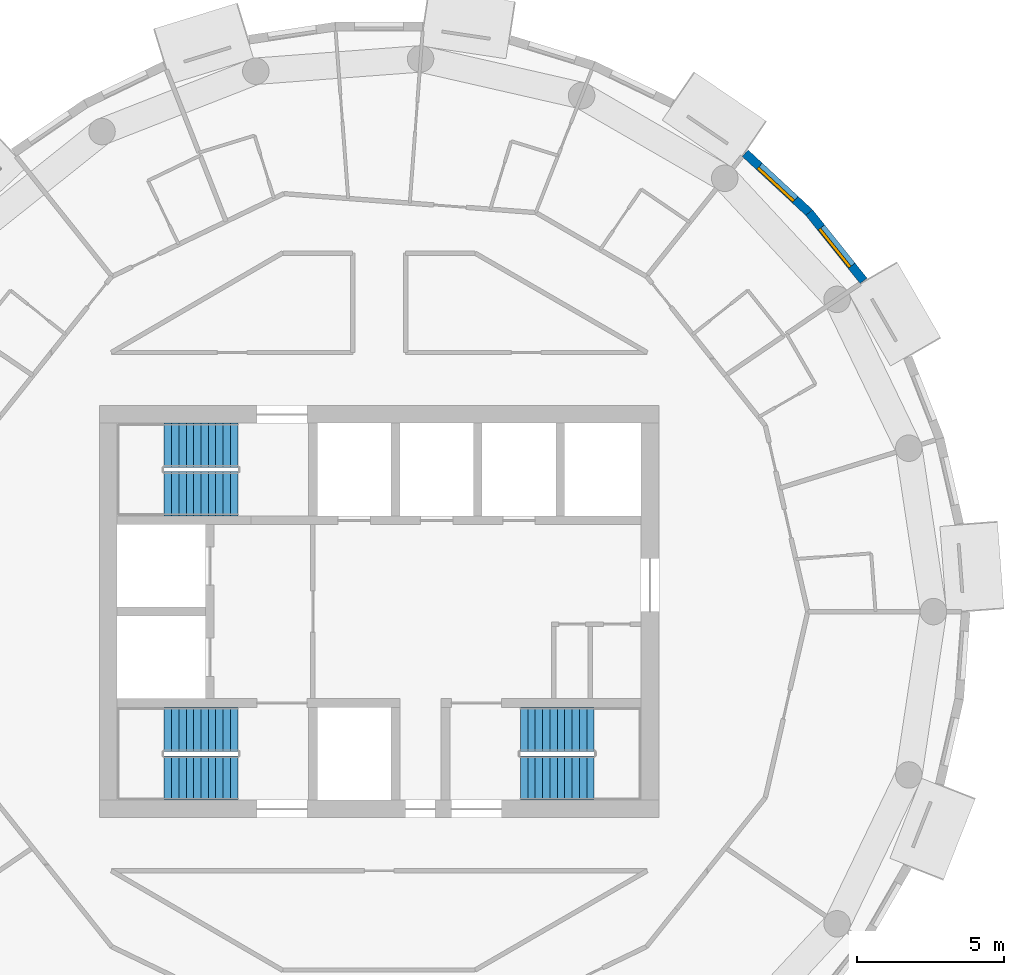
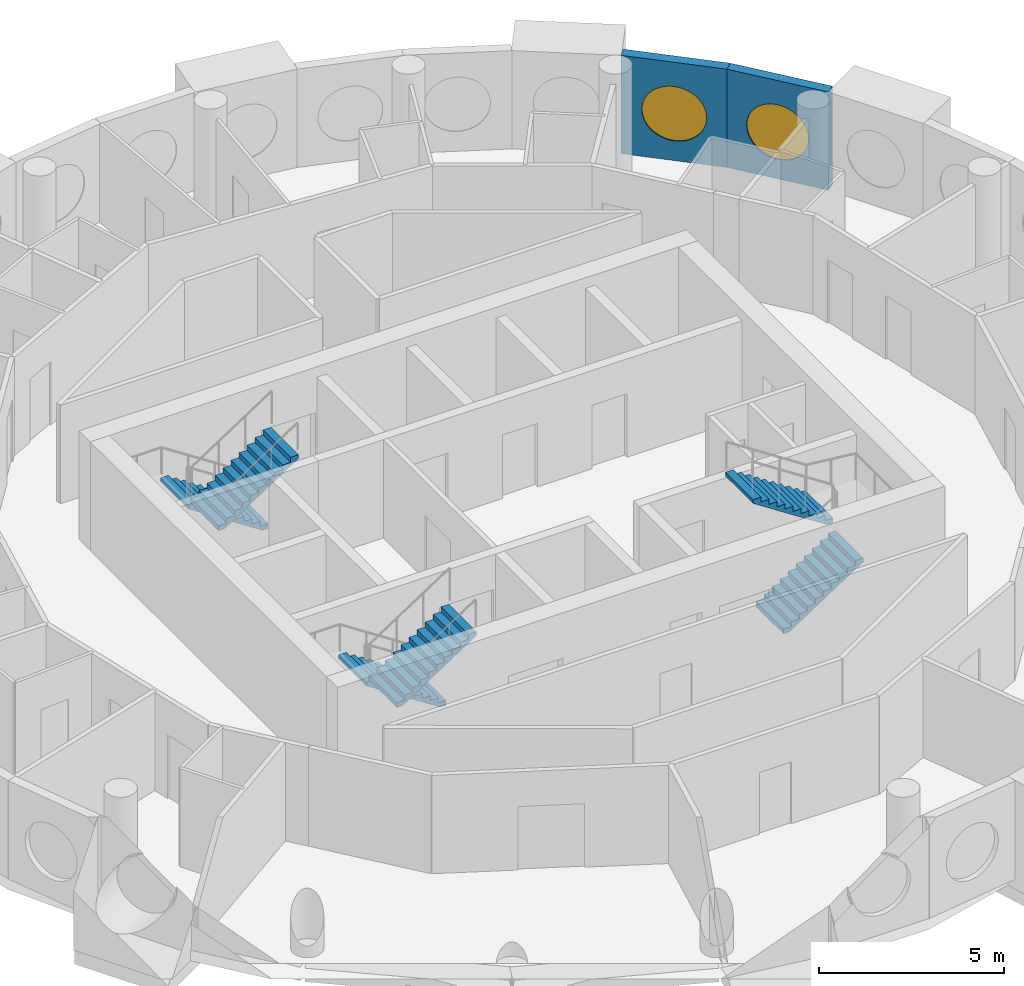
# One storey, part 12 of 13: 6 stair flights, 2 walls, 2 windows, 2 openings, 3 elements without a shape of their own.
"""IFC4 building model written with IfcOpenShell, lengths in metres."""

import ifcopenshell
import ifcopenshell.guid

model = None  # the IFC model being written
_history = None  # IfcOwnerHistory: only IFC2X3 demands one
_inside = {}  # id of a spatial element -> (the spatial element, [elements in it])
_under = {}  # id of a project, library or spatial element -> (it, [spatial elements below it])
_declared = {}  # id of a project -> (the project, [libraries it declares])
_typed = {}  # id of a type object -> (the type object, [elements of that type])
_made_of = {}  # id of a material, layer set ... -> (it, [elements and type objects made of it])


def new_model(schema):
    """Start an empty IFC model of exactly this schema.

    Asked for "IFC4X3", IfcOpenShell would pick the latest addendum, in which some entities
    have other attributes; the version numbers below select the first issue.
    IFC2X3 requires an IfcOwnerHistory on every rooted entity: one is made here for all.
    """
    global model, _history
    if schema == "IFC4X3":
        model = ifcopenshell.file(schema_version=(4, 3, 0, 0))
    else:
        model = ifcopenshell.file(schema=schema)
    _inside.clear()
    _under.clear()
    _declared.clear()
    _typed.clear()
    _made_of.clear()
    _history = None
    if model.schema == "IFC2X3":
        org = make("IfcOrganization", Name="unknown")
        user = make(
            "IfcPersonAndOrganization",
            ThePerson=make("IfcPerson", FamilyName="unknown"),
            TheOrganization=org,
        )
        app = make(
            "IfcApplication",
            ApplicationDeveloper=org,
            Version="unknown",
            ApplicationFullName="unknown",
            ApplicationIdentifier="unknown",
        )
        _history = make(
            "IfcOwnerHistory",
            OwningUser=user,
            OwningApplication=app,
            ChangeAction="ADDED",
            CreationDate=0,
        )
    return model


def make(cls, **values):
    """One entity of the class cls with the attributes given. An attribute that is None is left unset."""
    return model.create_entity(
        cls, **{name: value for name, value in values.items() if value is not None}
    )


def rooted(cls, **values):
    """An entity with a GlobalId (a new one), such as an element, a storey or a relation."""
    return make(cls, GlobalId=ifcopenshell.guid.new(), OwnerHistory=_history, **values)


def si_unit(unit_type, name, prefix=None):
    """IfcSIUnit, for example si_unit("LENGTHUNIT", "METRE", prefix="MILLI")."""
    return make("IfcSIUnit", UnitType=unit_type, Prefix=prefix, Name=name)


def assignment(units):
    """IfcUnitAssignment: the units of a project."""
    return None if units is None else make("IfcUnitAssignment", Units=units)


def point(xyz):
    """IfcCartesianPoint."""
    return None if xyz is None else make("IfcCartesianPoint", Coordinates=xyz)


def direction(xyz):
    """IfcDirection."""
    return None if xyz is None else make("IfcDirection", DirectionRatios=xyz)


def frame(location, z_axis=None, x_axis=None):
    """IfcAxis2Placement3D, a coordinate frame: its origin and axes. An axis left out is left unset."""
    return make(
        "IfcAxis2Placement3D",
        Location=point(location),
        Axis=direction(z_axis),
        RefDirection=direction(x_axis),
    )


def frame_2d(location, x_axis=None):
    """IfcAxis2Placement2D, a coordinate frame in the plane: its origin and x axis."""
    return make(
        "IfcAxis2Placement2D", Location=point(location), RefDirection=direction(x_axis)
    )


def origin():
    """The frame at (0, 0, 0) with its axes left unset."""
    return frame((0.0, 0.0, 0.0))


def origin_2d():
    """The frame at (0, 0) in the plane with its x axis left unset."""
    return frame_2d((0.0, 0.0))


def place(relative_to, where):
    """IfcLocalPlacement: puts the frame where relative to a parent placement (None: the world)."""
    return make(
        "IfcLocalPlacement", PlacementRelTo=relative_to, RelativePlacement=where
    )


def context(
    kind, dimensions, precision=None, world=None, true_north=None, identifier=None
):
    """IfcGeometricRepresentationContext, for example the 3D "Model" context."""
    return make(
        "IfcGeometricRepresentationContext",
        ContextIdentifier=identifier,
        ContextType=kind,
        CoordinateSpaceDimension=dimensions,
        Precision=precision,
        WorldCoordinateSystem=world,
        TrueNorth=true_north,
    )


def subcontext(parent, identifier, kind, view, scale=None):
    """IfcGeometricRepresentationSubContext, for example "Body" below "Model"."""
    return make(
        "IfcGeometricRepresentationSubContext",
        ContextIdentifier=identifier,
        ContextType=kind,
        ParentContext=parent,
        TargetScale=scale,
        TargetView=view,
    )


def project(units=None, contexts=None):
    """IfcProject with its units and contexts."""
    return rooted(
        "IfcProject",
        Name="project",
        RepresentationContexts=contexts,
        UnitsInContext=assignment(units),
    )


def spatial(cls, under=None, at=None, **own):
    """A site, building, storey or space (cls), placed at a placement, below another one or the project."""
    s = rooted(cls, ObjectPlacement=at, **own)
    if under is not None:
        _under.setdefault(under.id(), (under, []))[1].append(s)
    return s


def polyline(points):
    """IfcPolyline through the points."""
    return make("IfcPolyline", Points=[point(p) for p in points])


def profile(cls, at=None, kind="AREA", **sizes):
    """A parametric profile (cls). Its sizes go by their IFC names, for example OverallWidth=200.0."""
    return make(cls, ProfileType=kind, Position=at, **sizes)


def rectangle(**sizes):
    """IfcRectangleProfileDef."""
    return profile("IfcRectangleProfileDef", **sizes)


def circle(**sizes):
    """IfcCircleProfileDef."""
    return profile("IfcCircleProfileDef", **sizes)


def outline(outer, holes=None, kind="AREA"):
    """IfcArbitraryClosedProfileDef: a profile drawn as a closed curve; with holes, ...WithVoids."""
    if holes is None:
        return make("IfcArbitraryClosedProfileDef", ProfileType=kind, OuterCurve=outer)
    return make(
        "IfcArbitraryProfileDefWithVoids",
        ProfileType=kind,
        OuterCurve=outer,
        InnerCurves=holes,
    )


def extrude(swept, where, along, depth):
    """IfcExtrudedAreaSolid: the profile swept, set in the frame where, extruded along a direction by depth."""
    return make(
        "IfcExtrudedAreaSolid",
        SweptArea=swept,
        Position=where,
        ExtrudedDirection=direction(along),
        Depth=depth,
    )


def shape(context_of_items, identifier, shape_type, items):
    """IfcShapeRepresentation: the items that make up one representation, for example the "Body"."""
    return make(
        "IfcShapeRepresentation",
        ContextOfItems=context_of_items,
        RepresentationIdentifier=identifier,
        RepresentationType=shape_type,
        Items=items,
    )


def material(Name=None, Category=None):
    """IfcMaterial."""
    return make("IfcMaterial", Name=Name, Category=Category)


def layer(
    of_material, thickness, ventilated=None, Name=None, Category=None, Priority=None
):
    """IfcMaterialLayer: one layer of a wall or slab, of a material (None: an air gap)."""
    return make(
        "IfcMaterialLayer",
        Material=of_material,
        LayerThickness=thickness,
        IsVentilated=ventilated,
        Name=Name,
        Category=Category,
        Priority=Priority,
    )


def layer_set(layers, Name=None):
    """IfcMaterialLayerSet."""
    return make("IfcMaterialLayerSet", MaterialLayers=layers, LayerSetName=Name)


def made_of(thing, what):
    """Note that an element or type object is made of a material, layer set ...; save() writes the relation."""
    if what is not None:
        _made_of.setdefault(what.id(), (what, []))[1].append(thing)
    return thing


def type_object(cls, material=None, **own):
    """A type object (cls), such as IfcWallType, which elements share."""
    return made_of(rooted(cls, **own), material)


def element(
    cls,
    number,
    at=None,
    inside=None,
    cuts=None,
    type_object=None,
    material=None,
    context=None,
    identifier="Body",
    shape_type=None,
    held_by="IfcProductDefinitionShape",
    body=None,
    shapes=None,
    **own,
):
    """One element of the class cls, such as IfcWall. Its Tag is "e" and its number.

    at: its placement. inside: the storey or other place that contains it. cuts: it is an
    opening in that element (IfcRelVoidsElement). A single representation is given by context,
    identifier, shape_type and body (its items); several are given by shapes. held_by: the class
    of the entity that holds the representations. save() writes the other relations.
    """
    e = rooted(cls, Tag="e%d" % number, ObjectPlacement=at, **own)
    if body is not None:
        shapes = [shape(context, identifier, shape_type, body)]
    if shapes is not None:
        e.Representation = make(held_by, Representations=shapes)
    if inside is not None:
        _inside.setdefault(inside.id(), (inside, []))[1].append(e)
    if cuts is not None:
        rooted(
            "IfcRelVoidsElement", RelatingBuildingElement=cuts, RelatedOpeningElement=e
        )
    if type_object is not None:
        _typed.setdefault(type_object.id(), (type_object, []))[1].append(e)
    return made_of(e, material)


def fill(opening, filler):
    """IfcRelFillsElement: the door or window that sits in an opening."""
    return rooted(
        "IfcRelFillsElement",
        RelatingOpeningElement=opening,
        RelatedBuildingElement=filler,
    )


def aggregate(whole, parts):
    """IfcRelAggregates: a whole, such as a stair, and the parts it consists of."""
    return rooted("IfcRelAggregates", RelatingObject=whole, RelatedObjects=parts)


def save(model, path):
    """Write the relations noted so far, then the file.

    IfcRelAggregates (storeys below a building ...), IfcRelContainedInSpatialStructure (elements
    in a storey), IfcRelDefinesByType, IfcRelAssociatesMaterial and IfcRelDeclares: one each for
    every whole, place, type object, material and project.
    """
    for whole, parts in _under.values():
        aggregate(whole, parts)
    for where, things in _inside.values():
        rooted(
            "IfcRelContainedInSpatialStructure",
            RelatedElements=things,
            RelatingStructure=where,
        )
    for kind, things in _typed.values():
        rooted("IfcRelDefinesByType", RelatedObjects=things, RelatingType=kind)
    for what, things in _made_of.values():
        rooted("IfcRelAssociatesMaterial", RelatedObjects=things, RelatingMaterial=what)
    for by, libraries in _declared.values():
        rooted("IfcRelDeclares", RelatingContext=by, RelatedDefinitions=libraries)
    model.write(path)


model = new_model("IFC4")

# Units and contexts
model_context = context("Model", 3, precision=1e-05, world=origin(), true_north=direction((0.0, 1.0)))
body_context = subcontext(model_context, "Body", "Model", "MODEL_VIEW")
ifc_project = project(units=[si_unit("LENGTHUNIT", "METRE"), si_unit("AREAUNIT", "SQUARE_METRE"), si_unit("VOLUMEUNIT", "CUBIC_METRE"), si_unit("PLANEANGLEUNIT", "RADIAN"), si_unit("MASSUNIT", "GRAM", prefix="KILO")], contexts=[model_context])

# Site, building, storey
site_placement = place(None, origin())
site = spatial("IfcSite", under=ifc_project, at=site_placement, CompositionType="ELEMENT")
building_placement = place(site_placement, origin())
building = spatial("IfcBuilding", under=site, at=building_placement, Name="Tracery Tower", CompositionType="ELEMENT")
storey_placement = place(building_placement, frame((0.0, 0.0, 309.0)))
storey = spatial("IfcBuildingStorey", under=building, at=storey_placement, Name="L80", CompositionType="ELEMENT", Elevation=309.0)

# Wall, opening, window
ifc_material_1 = material(Name="Precast concrete C50/60", Category="concrete")
ifc_layer = layer(ifc_material_1, 0.300048828125)
ifc_layer_set = layer_set([ifc_layer], Name="Facade panel 3000 x 3250")
wall_type = type_object("IfcWallType", Name="Facade panel 3000 x 3250", PredefinedType="SOLIDWALL", material=ifc_layer_set)
wall_1_placement = place(storey_placement, frame((16.45068359375, 11.234375, 0.0), z_axis=(0.0, 0.0, 1.0), x_axis=(-0.623498236992, 0.781824755599, 0.0)))
wall_1 = element("IfcWall", 1, at=wall_1_placement, inside=storey, type_object=wall_type, Name="Facade panel 5 at L80", PredefinedType="SOLIDWALL", context=body_context, shape_type="SweptSolid", body=[
    extrude(rectangle(XDim=2.962158203125, YDim=0.300048828125, at=frame_2d((1.48095703125, 0.0))), origin(), (0.0, 0.0, 1.0), 3.25),
])
opening_1_placement = place(wall_1_placement, frame((1.48095703125, 0.0, 1.5498046875)))
opening_1 = element("IfcOpeningElement", 2, at=opening_1_placement, cuts=wall_1, Name="Opening WN1", PredefinedType="OPENING", context=body_context, shape_type="SweptSolid", body=[
    extrude(circle(Radius=0.9000244140625, at=origin_2d()), frame((0.0, 0.159912109375, 0.0), z_axis=(0.0, -1.0, 0.0), x_axis=(1.0, 0.0, 0.0)), (0.0, 0.0, 1.0), 0.320068359375),
])
ifc_material_2 = material(Name="Aluminium frame with tinted double glazing", Category="aluminium")
window_type = type_object("IfcWindowType", Name="Round window 1800", PartitioningType="SINGLE_PANEL", PredefinedType="WINDOW", material=ifc_material_2)
window_1_placement = place(opening_1_placement, origin())
window_1 = element("IfcWindow", 3, at=window_1_placement, inside=storey, type_object=window_type, Name="Round window 5 at L80", OverallHeight=1.800048828125, OverallWidth=1.800048828125, PartitioningType="SINGLE_PANEL", PredefinedType="WINDOW", context=body_context, shape_type="SweptSolid", body=[
    extrude(circle(Radius=0.9000244140625, at=origin_2d()), frame((0.0, 0.1201171875, 0.0), z_axis=(0.0, -1.0, 0.0), x_axis=(1.0, 0.0, 0.0)), (0.0, 0.0, 1.0), 0.10009765625),
])
fill(opening_1, window_1)

wall_2_placement = place(storey_placement, frame((14.603759765625, 13.55029296875, 0.0), z_axis=(0.0, 0.0, 1.0), x_axis=(-0.733066412643, 0.680157066165, 0.0)))
wall_2 = element("IfcWall", 4, at=wall_2_placement, inside=storey, type_object=wall_type, Name="Facade panel 6 at L80", PredefinedType="SOLIDWALL", context=body_context, shape_type="SweptSolid", body=[
    extrude(rectangle(XDim=2.96240234375, YDim=0.300048828125, at=frame_2d((1.481201171875, 0.0))), origin(), (0.0, 0.0, 1.0), 3.25),
])
opening_2_placement = place(wall_2_placement, frame((1.48095703125, 0.0, 1.5498046875)))
opening_2 = element("IfcOpeningElement", 5, at=opening_2_placement, cuts=wall_2, Name="Opening WN1", PredefinedType="OPENING", context=body_context, shape_type="SweptSolid", body=[
    extrude(circle(Radius=0.9000244140625, at=origin_2d()), frame((0.0, 0.159912109375, 0.0), z_axis=(0.0, -1.0, 0.0), x_axis=(1.0, 0.0, 0.0)), (0.0, 0.0, 1.0), 0.320068359375),
])
window_2_placement = place(opening_2_placement, origin())
window_2 = element("IfcWindow", 6, at=window_2_placement, inside=storey, type_object=window_type, Name="Round window 6 at L80", OverallHeight=1.800048828125, OverallWidth=1.800048828125, PartitioningType="SINGLE_PANEL", PredefinedType="WINDOW", context=body_context, shape_type="SweptSolid", body=[
    extrude(circle(Radius=0.9000244140625, at=origin_2d()), frame((0.0, 0.1201171875, 0.0), z_axis=(0.0, -1.0, 0.0), x_axis=(1.0, 0.0, 0.0)), (0.0, 0.0, 1.0), 0.10009765625),
])
fill(opening_2, window_2)

# Stair, stair flights
ifc_material_3 = material(Name="Concrete C32/40", Category="concrete")
stair_type = type_object("IfcStairType", Name="Core stair 22 risers", PredefinedType="HALF_TURN_STAIR", material=ifc_material_3)
stair_1_placement = place(storey_placement, origin())
stair_1 = element("IfcStair", 7, at=stair_1_placement, inside=storey, type_object=stair_type, Name="L80 stair ST1", PredefinedType="HALF_TURN_STAIR")
ifc_material_4 = material(Name="Concrete C32/40", Category="concrete")
stair_flight_type = type_object("IfcStairFlightType", Name="Core stair flight 11 risers", PredefinedType="STRAIGHT", material=ifc_material_4)
stair_flight_1_placement = place(storey_placement, frame((-4.800048828125, -4.0, 0.0), z_axis=(0.0, 0.0, 1.0), x_axis=(-1.0, 0.0, 0.0)))
stair_flight_1 = element("IfcStairFlight", 8, at=stair_flight_1_placement, type_object=stair_flight_type, Name="ST1 flight 1", NumberOfRisers=11, NumberOfTreads=10, PredefinedType="STRAIGHT", RiserHeight=0.163636364, TreadLength=0.25, context=body_context, shape_type="SweptSolid", body=[
    extrude(outline(polyline([(0.0, 0.0), (0.0, 0.002685546875), (0.0, 0.00537109375), (0.0, 0.008056640625), (0.0, 0.0107421875), (0.0, 0.013427734375), (0.0, 0.01611328125), (0.0, 0.018798828125), (0.0, 0.021484375), (0.0, 0.024169921875), (0.0, 0.02685546875), (0.0, 0.029541015625), (0.0, 0.0322265625), (0.0, 0.034912109375), (0.0, 0.03759765625), (0.0, 0.040283203125), (0.0, 0.04296875), (0.0, 0.045654296875), (0.0, 0.04833984375), (0.0, 0.051025390625), (0.0, 0.0537109375), (0.0, 0.056396484375), (0.0, 0.05908203125), (0.0, 0.061767578125), (0.0, 0.064453125), (0.0, 0.067138671875), (0.0, 0.06982421875), (0.0, 0.072509765625), (0.0, 0.0751953125), (0.0, 0.077880859375), (0.0, 0.08056640625), (0.0, 0.083251953125), (0.0, 0.0859375), (0.0, 0.088623046875), (0.0, 0.09130859375), (0.0, 0.093994140625), (0.0, 0.0966796875), (0.0, 0.099365234375), (0.0, 0.10205078125), (0.0, 0.104736328125), (0.0, 0.107421875), (0.0, 0.10986328125), (0.0, 0.112548828125), (0.0, 0.115234375), (0.0, 0.117919921875), (0.0, 0.12060546875), (0.0, 0.123291015625), (0.0, 0.1259765625), (0.0, 0.128662109375), (0.0, 0.13134765625), (0.0, 0.134033203125), (0.0, 0.13671875), (0.0, 0.139404296875), (0.0, 0.14208984375), (0.0, 0.144775390625), (0.0, 0.1474609375), (0.0, 0.150146484375), (0.0, 0.15283203125), (0.0, 0.155517578125), (0.0, 0.158203125), (0.0, 0.160888671875), (0.0, 0.16357421875), (0.25, 0.16357421875), (0.25, 0.327392578125), (0.5, 0.327392578125), (0.5, 0.490966796875), (0.75, 0.490966796875), (0.75, 0.654541015625), (1.0, 0.654541015625), (1.0, 0.818115234375), (1.25, 0.818115234375), (1.25, 0.98193359375), (1.5, 0.98193359375), (1.5, 1.1455078125), (1.75, 1.1455078125), (1.75, 1.30908203125), (2.0, 1.30908203125), (2.0, 1.47265625), (2.25, 1.47265625), (2.25, 1.636474609375), (2.5, 1.636474609375), (2.5, 1.634521484375), (2.5, 1.63232421875), (2.5, 1.63037109375), (2.5, 1.62841796875), (2.5, 1.62646484375), (2.5, 1.62451171875), (2.5, 1.62255859375), (2.5, 1.62060546875), (2.5, 1.61865234375), (2.5, 1.61669921875), (2.5, 1.61474609375), (2.5, 1.61279296875), (2.5, 1.61083984375), (2.5, 1.60888671875), (2.5, 1.60693359375), (2.5, 1.60498046875), (2.5, 1.60302734375), (2.5, 1.60107421875), (2.5, 1.59912109375), (2.5, 1.59716796875), (2.5, 1.59521484375), (2.5, 1.59326171875), (2.5, 1.59130859375), (2.5, 1.58935546875), (2.5, 1.58740234375), (2.5, 1.58544921875), (2.5, 1.58349609375), (2.5, 1.58154296875), (2.5, 1.57958984375), (2.5, 1.57763671875), (2.5, 1.57568359375), (2.5, 1.573486328125), (2.5, 1.571533203125), (2.5, 1.569580078125), (2.5, 1.567626953125), (2.5, 1.565673828125), (2.5, 1.563720703125), (2.5, 1.561767578125), (2.5, 1.559814453125), (2.5, 1.557861328125), (2.5, 1.555908203125), (2.5, 1.553955078125), (2.5, 1.552001953125), (2.5, 1.550048828125), (2.5, 1.548095703125), (2.5, 1.546142578125), (2.5, 1.544189453125), (2.5, 1.542236328125), (2.5, 1.540283203125), (2.5, 1.538330078125), (2.5, 1.536376953125), (2.5, 1.534423828125), (2.5, 1.532470703125), (2.5, 1.530517578125), (2.5, 1.528564453125), (2.5, 1.526611328125), (2.5, 1.524658203125), (2.5, 1.522705078125), (2.5, 1.520751953125), (2.5, 1.518798828125), (2.5, 1.516845703125), (0.182861328125, 0.0), (0.0, 0.0)])), frame((0.0, 0.75, 0.0), z_axis=(0.0, -1.0, 0.0), x_axis=(1.0, 0.0, 0.0)), (0.0, 0.0, 1.0), 1.5),
])
stair_flight_2_placement = place(storey_placement, frame((-7.300048828125, -5.64990234375, 1.800048828125), z_axis=(0.0, 0.0, 1.0), x_axis=(1.0, 0.0, 0.0)))
stair_flight_2 = element("IfcStairFlight", 9, at=stair_flight_2_placement, type_object=stair_flight_type, Name="ST1 flight 2", NumberOfRisers=11, NumberOfTreads=10, PredefinedType="STRAIGHT", RiserHeight=0.163636364, TreadLength=0.25, context=body_context, shape_type="SweptSolid", body=[
    extrude(outline(polyline([(0.0, 0.0), (0.0, 0.002685546875), (0.0, 0.00537109375), (0.0, 0.008056640625), (0.0, 0.0107421875), (0.0, 0.013427734375), (0.0, 0.01611328125), (0.0, 0.018798828125), (0.0, 0.021484375), (0.0, 0.024169921875), (0.0, 0.02685546875), (0.0, 0.029541015625), (0.0, 0.0322265625), (0.0, 0.034912109375), (0.0, 0.03759765625), (0.0, 0.040283203125), (0.0, 0.04296875), (0.0, 0.045654296875), (0.0, 0.04833984375), (0.0, 0.051025390625), (0.0, 0.0537109375), (0.0, 0.056396484375), (0.0, 0.05908203125), (0.0, 0.061767578125), (0.0, 0.064453125), (0.0, 0.067138671875), (0.0, 0.06982421875), (0.0, 0.072509765625), (0.0, 0.0751953125), (0.0, 0.077880859375), (0.0, 0.08056640625), (0.0, 0.083251953125), (0.0, 0.0859375), (0.0, 0.088623046875), (0.0, 0.09130859375), (0.0, 0.093994140625), (0.0, 0.0966796875), (0.0, 0.099365234375), (0.0, 0.10205078125), (0.0, 0.104736328125), (0.0, 0.107421875), (0.0, 0.10986328125), (0.0, 0.112548828125), (0.0, 0.115234375), (0.0, 0.117919921875), (0.0, 0.12060546875), (0.0, 0.123291015625), (0.0, 0.1259765625), (0.0, 0.128662109375), (0.0, 0.13134765625), (0.0, 0.134033203125), (0.0, 0.13671875), (0.0, 0.139404296875), (0.0, 0.14208984375), (0.0, 0.144775390625), (0.0, 0.1474609375), (0.0, 0.150146484375), (0.0, 0.15283203125), (0.0, 0.155517578125), (0.0, 0.158203125), (0.0, 0.160888671875), (0.0, 0.16357421875), (0.25, 0.16357421875), (0.25, 0.327392578125), (0.5, 0.327392578125), (0.5, 0.490966796875), (0.75, 0.490966796875), (0.75, 0.654541015625), (1.0, 0.654541015625), (1.0, 0.818115234375), (1.25, 0.818115234375), (1.25, 0.98193359375), (1.5, 0.98193359375), (1.5, 1.1455078125), (1.75, 1.1455078125), (1.75, 1.30908203125), (2.0, 1.30908203125), (2.0, 1.47265625), (2.25, 1.47265625), (2.25, 1.636474609375), (2.5, 1.636474609375), (2.5, 1.634521484375), (2.5, 1.63232421875), (2.5, 1.63037109375), (2.5, 1.62841796875), (2.5, 1.62646484375), (2.5, 1.62451171875), (2.5, 1.62255859375), (2.5, 1.62060546875), (2.5, 1.61865234375), (2.5, 1.61669921875), (2.5, 1.61474609375), (2.5, 1.61279296875), (2.5, 1.61083984375), (2.5, 1.60888671875), (2.5, 1.60693359375), (2.5, 1.60498046875), (2.5, 1.60302734375), (2.5, 1.60107421875), (2.5, 1.59912109375), (2.5, 1.59716796875), (2.5, 1.59521484375), (2.5, 1.59326171875), (2.5, 1.59130859375), (2.5, 1.58935546875), (2.5, 1.58740234375), (2.5, 1.58544921875), (2.5, 1.58349609375), (2.5, 1.58154296875), (2.5, 1.57958984375), (2.5, 1.57763671875), (2.5, 1.57568359375), (2.5, 1.573486328125), (2.5, 1.571533203125), (2.5, 1.569580078125), (2.5, 1.567626953125), (2.5, 1.565673828125), (2.5, 1.563720703125), (2.5, 1.561767578125), (2.5, 1.559814453125), (2.5, 1.557861328125), (2.5, 1.555908203125), (2.5, 1.553955078125), (2.5, 1.552001953125), (2.5, 1.550048828125), (2.5, 1.548095703125), (2.5, 1.546142578125), (2.5, 1.544189453125), (2.5, 1.542236328125), (2.5, 1.540283203125), (2.5, 1.538330078125), (2.5, 1.536376953125), (2.5, 1.534423828125), (2.5, 1.532470703125), (2.5, 1.530517578125), (2.5, 1.528564453125), (2.5, 1.526611328125), (2.5, 1.524658203125), (2.5, 1.522705078125), (2.5, 1.520751953125), (2.5, 1.518798828125), (2.5, 1.516845703125), (0.182861328125, 0.0), (0.0, 0.0)])), frame((0.0, 0.75, 0.0), z_axis=(0.0, -1.0, 0.0), x_axis=(1.0, 0.0, 0.0)), (0.0, 0.0, 1.0), 1.5),
])
aggregate(stair_1, [stair_flight_1, stair_flight_2])

stair_2_placement = place(storey_placement, origin())
stair_2 = element("IfcStair", 10, at=stair_2_placement, inside=storey, type_object=stair_type, Name="L80 stair ST3", PredefinedType="HALF_TURN_STAIR")
stair_flight_3_placement = place(storey_placement, frame((-4.800048828125, 5.64990234375, 0.0), z_axis=(0.0, 0.0, 1.0), x_axis=(-1.0, 0.0, 0.0)))
stair_flight_3 = element("IfcStairFlight", 11, at=stair_flight_3_placement, type_object=stair_flight_type, Name="ST3 flight 1", NumberOfRisers=11, NumberOfTreads=10, PredefinedType="STRAIGHT", RiserHeight=0.163636364, TreadLength=0.25, context=body_context, shape_type="SweptSolid", body=[
    extrude(outline(polyline([(0.0, 0.0), (0.0, 0.002685546875), (0.0, 0.00537109375), (0.0, 0.008056640625), (0.0, 0.0107421875), (0.0, 0.013427734375), (0.0, 0.01611328125), (0.0, 0.018798828125), (0.0, 0.021484375), (0.0, 0.024169921875), (0.0, 0.02685546875), (0.0, 0.029541015625), (0.0, 0.0322265625), (0.0, 0.034912109375), (0.0, 0.03759765625), (0.0, 0.040283203125), (0.0, 0.04296875), (0.0, 0.045654296875), (0.0, 0.04833984375), (0.0, 0.051025390625), (0.0, 0.0537109375), (0.0, 0.056396484375), (0.0, 0.05908203125), (0.0, 0.061767578125), (0.0, 0.064453125), (0.0, 0.067138671875), (0.0, 0.06982421875), (0.0, 0.072509765625), (0.0, 0.0751953125), (0.0, 0.077880859375), (0.0, 0.08056640625), (0.0, 0.083251953125), (0.0, 0.0859375), (0.0, 0.088623046875), (0.0, 0.09130859375), (0.0, 0.093994140625), (0.0, 0.0966796875), (0.0, 0.099365234375), (0.0, 0.10205078125), (0.0, 0.104736328125), (0.0, 0.107421875), (0.0, 0.10986328125), (0.0, 0.112548828125), (0.0, 0.115234375), (0.0, 0.117919921875), (0.0, 0.12060546875), (0.0, 0.123291015625), (0.0, 0.1259765625), (0.0, 0.128662109375), (0.0, 0.13134765625), (0.0, 0.134033203125), (0.0, 0.13671875), (0.0, 0.139404296875), (0.0, 0.14208984375), (0.0, 0.144775390625), (0.0, 0.1474609375), (0.0, 0.150146484375), (0.0, 0.15283203125), (0.0, 0.155517578125), (0.0, 0.158203125), (0.0, 0.160888671875), (0.0, 0.16357421875), (0.25, 0.16357421875), (0.25, 0.327392578125), (0.5, 0.327392578125), (0.5, 0.490966796875), (0.75, 0.490966796875), (0.75, 0.654541015625), (1.0, 0.654541015625), (1.0, 0.818115234375), (1.25, 0.818115234375), (1.25, 0.98193359375), (1.5, 0.98193359375), (1.5, 1.1455078125), (1.75, 1.1455078125), (1.75, 1.30908203125), (2.0, 1.30908203125), (2.0, 1.47265625), (2.25, 1.47265625), (2.25, 1.636474609375), (2.5, 1.636474609375), (2.5, 1.634521484375), (2.5, 1.63232421875), (2.5, 1.63037109375), (2.5, 1.62841796875), (2.5, 1.62646484375), (2.5, 1.62451171875), (2.5, 1.62255859375), (2.5, 1.62060546875), (2.5, 1.61865234375), (2.5, 1.61669921875), (2.5, 1.61474609375), (2.5, 1.61279296875), (2.5, 1.61083984375), (2.5, 1.60888671875), (2.5, 1.60693359375), (2.5, 1.60498046875), (2.5, 1.60302734375), (2.5, 1.60107421875), (2.5, 1.59912109375), (2.5, 1.59716796875), (2.5, 1.59521484375), (2.5, 1.59326171875), (2.5, 1.59130859375), (2.5, 1.58935546875), (2.5, 1.58740234375), (2.5, 1.58544921875), (2.5, 1.58349609375), (2.5, 1.58154296875), (2.5, 1.57958984375), (2.5, 1.57763671875), (2.5, 1.57568359375), (2.5, 1.573486328125), (2.5, 1.571533203125), (2.5, 1.569580078125), (2.5, 1.567626953125), (2.5, 1.565673828125), (2.5, 1.563720703125), (2.5, 1.561767578125), (2.5, 1.559814453125), (2.5, 1.557861328125), (2.5, 1.555908203125), (2.5, 1.553955078125), (2.5, 1.552001953125), (2.5, 1.550048828125), (2.5, 1.548095703125), (2.5, 1.546142578125), (2.5, 1.544189453125), (2.5, 1.542236328125), (2.5, 1.540283203125), (2.5, 1.538330078125), (2.5, 1.536376953125), (2.5, 1.534423828125), (2.5, 1.532470703125), (2.5, 1.530517578125), (2.5, 1.528564453125), (2.5, 1.526611328125), (2.5, 1.524658203125), (2.5, 1.522705078125), (2.5, 1.520751953125), (2.5, 1.518798828125), (2.5, 1.516845703125), (0.182861328125, 0.0), (0.0, 0.0)])), frame((0.0, 0.75, 0.0), z_axis=(0.0, -1.0, 0.0), x_axis=(1.0, 0.0, 0.0)), (0.0, 0.0, 1.0), 1.5),
])
stair_flight_4_placement = place(storey_placement, frame((-7.300048828125, 4.0, 1.800048828125), z_axis=(0.0, 0.0, 1.0), x_axis=(1.0, 0.0, 0.0)))
stair_flight_4 = element("IfcStairFlight", 12, at=stair_flight_4_placement, type_object=stair_flight_type, Name="ST3 flight 2", NumberOfRisers=11, NumberOfTreads=10, PredefinedType="STRAIGHT", RiserHeight=0.163636364, TreadLength=0.25, context=body_context, shape_type="SweptSolid", body=[
    extrude(outline(polyline([(0.0, 0.0), (0.0, 0.002685546875), (0.0, 0.00537109375), (0.0, 0.008056640625), (0.0, 0.0107421875), (0.0, 0.013427734375), (0.0, 0.01611328125), (0.0, 0.018798828125), (0.0, 0.021484375), (0.0, 0.024169921875), (0.0, 0.02685546875), (0.0, 0.029541015625), (0.0, 0.0322265625), (0.0, 0.034912109375), (0.0, 0.03759765625), (0.0, 0.040283203125), (0.0, 0.04296875), (0.0, 0.045654296875), (0.0, 0.04833984375), (0.0, 0.051025390625), (0.0, 0.0537109375), (0.0, 0.056396484375), (0.0, 0.05908203125), (0.0, 0.061767578125), (0.0, 0.064453125), (0.0, 0.067138671875), (0.0, 0.06982421875), (0.0, 0.072509765625), (0.0, 0.0751953125), (0.0, 0.077880859375), (0.0, 0.08056640625), (0.0, 0.083251953125), (0.0, 0.0859375), (0.0, 0.088623046875), (0.0, 0.09130859375), (0.0, 0.093994140625), (0.0, 0.0966796875), (0.0, 0.099365234375), (0.0, 0.10205078125), (0.0, 0.104736328125), (0.0, 0.107421875), (0.0, 0.10986328125), (0.0, 0.112548828125), (0.0, 0.115234375), (0.0, 0.117919921875), (0.0, 0.12060546875), (0.0, 0.123291015625), (0.0, 0.1259765625), (0.0, 0.128662109375), (0.0, 0.13134765625), (0.0, 0.134033203125), (0.0, 0.13671875), (0.0, 0.139404296875), (0.0, 0.14208984375), (0.0, 0.144775390625), (0.0, 0.1474609375), (0.0, 0.150146484375), (0.0, 0.15283203125), (0.0, 0.155517578125), (0.0, 0.158203125), (0.0, 0.160888671875), (0.0, 0.16357421875), (0.25, 0.16357421875), (0.25, 0.327392578125), (0.5, 0.327392578125), (0.5, 0.490966796875), (0.75, 0.490966796875), (0.75, 0.654541015625), (1.0, 0.654541015625), (1.0, 0.818115234375), (1.25, 0.818115234375), (1.25, 0.98193359375), (1.5, 0.98193359375), (1.5, 1.1455078125), (1.75, 1.1455078125), (1.75, 1.30908203125), (2.0, 1.30908203125), (2.0, 1.47265625), (2.25, 1.47265625), (2.25, 1.636474609375), (2.5, 1.636474609375), (2.5, 1.634521484375), (2.5, 1.63232421875), (2.5, 1.63037109375), (2.5, 1.62841796875), (2.5, 1.62646484375), (2.5, 1.62451171875), (2.5, 1.62255859375), (2.5, 1.62060546875), (2.5, 1.61865234375), (2.5, 1.61669921875), (2.5, 1.61474609375), (2.5, 1.61279296875), (2.5, 1.61083984375), (2.5, 1.60888671875), (2.5, 1.60693359375), (2.5, 1.60498046875), (2.5, 1.60302734375), (2.5, 1.60107421875), (2.5, 1.59912109375), (2.5, 1.59716796875), (2.5, 1.59521484375), (2.5, 1.59326171875), (2.5, 1.59130859375), (2.5, 1.58935546875), (2.5, 1.58740234375), (2.5, 1.58544921875), (2.5, 1.58349609375), (2.5, 1.58154296875), (2.5, 1.57958984375), (2.5, 1.57763671875), (2.5, 1.57568359375), (2.5, 1.573486328125), (2.5, 1.571533203125), (2.5, 1.569580078125), (2.5, 1.567626953125), (2.5, 1.565673828125), (2.5, 1.563720703125), (2.5, 1.561767578125), (2.5, 1.559814453125), (2.5, 1.557861328125), (2.5, 1.555908203125), (2.5, 1.553955078125), (2.5, 1.552001953125), (2.5, 1.550048828125), (2.5, 1.548095703125), (2.5, 1.546142578125), (2.5, 1.544189453125), (2.5, 1.542236328125), (2.5, 1.540283203125), (2.5, 1.538330078125), (2.5, 1.536376953125), (2.5, 1.534423828125), (2.5, 1.532470703125), (2.5, 1.530517578125), (2.5, 1.528564453125), (2.5, 1.526611328125), (2.5, 1.524658203125), (2.5, 1.522705078125), (2.5, 1.520751953125), (2.5, 1.518798828125), (2.5, 1.516845703125), (0.182861328125, 0.0), (0.0, 0.0)])), frame((0.0, 0.75, 0.0), z_axis=(0.0, -1.0, 0.0), x_axis=(1.0, 0.0, 0.0)), (0.0, 0.0, 1.0), 1.5),
])
aggregate(stair_2, [stair_flight_3, stair_flight_4])

stair_3_placement = place(storey_placement, origin())
stair_3 = element("IfcStair", 13, at=stair_3_placement, inside=storey, type_object=stair_type, Name="L80 stair ST2", PredefinedType="HALF_TURN_STAIR")
stair_flight_5_placement = place(storey_placement, frame((4.800048828125, -5.64990234375, 0.0), z_axis=(0.0, 0.0, 1.0), x_axis=(1.0, 0.0, 0.0)))
stair_flight_5 = element("IfcStairFlight", 14, at=stair_flight_5_placement, type_object=stair_flight_type, Name="ST2 flight 1", NumberOfRisers=11, NumberOfTreads=10, PredefinedType="STRAIGHT", RiserHeight=0.163636364, TreadLength=0.25, context=body_context, shape_type="SweptSolid", body=[
    extrude(outline(polyline([(0.0, 0.0), (0.0, 0.002685546875), (0.0, 0.00537109375), (0.0, 0.008056640625), (0.0, 0.0107421875), (0.0, 0.013427734375), (0.0, 0.01611328125), (0.0, 0.018798828125), (0.0, 0.021484375), (0.0, 0.024169921875), (0.0, 0.02685546875), (0.0, 0.029541015625), (0.0, 0.0322265625), (0.0, 0.034912109375), (0.0, 0.03759765625), (0.0, 0.040283203125), (0.0, 0.04296875), (0.0, 0.045654296875), (0.0, 0.04833984375), (0.0, 0.051025390625), (0.0, 0.0537109375), (0.0, 0.056396484375), (0.0, 0.05908203125), (0.0, 0.061767578125), (0.0, 0.064453125), (0.0, 0.067138671875), (0.0, 0.06982421875), (0.0, 0.072509765625), (0.0, 0.0751953125), (0.0, 0.077880859375), (0.0, 0.08056640625), (0.0, 0.083251953125), (0.0, 0.0859375), (0.0, 0.088623046875), (0.0, 0.09130859375), (0.0, 0.093994140625), (0.0, 0.0966796875), (0.0, 0.099365234375), (0.0, 0.10205078125), (0.0, 0.104736328125), (0.0, 0.107421875), (0.0, 0.10986328125), (0.0, 0.112548828125), (0.0, 0.115234375), (0.0, 0.117919921875), (0.0, 0.12060546875), (0.0, 0.123291015625), (0.0, 0.1259765625), (0.0, 0.128662109375), (0.0, 0.13134765625), (0.0, 0.134033203125), (0.0, 0.13671875), (0.0, 0.139404296875), (0.0, 0.14208984375), (0.0, 0.144775390625), (0.0, 0.1474609375), (0.0, 0.150146484375), (0.0, 0.15283203125), (0.0, 0.155517578125), (0.0, 0.158203125), (0.0, 0.160888671875), (0.0, 0.16357421875), (0.25, 0.16357421875), (0.25, 0.327392578125), (0.5, 0.327392578125), (0.5, 0.490966796875), (0.75, 0.490966796875), (0.75, 0.654541015625), (1.0, 0.654541015625), (1.0, 0.818115234375), (1.25, 0.818115234375), (1.25, 0.98193359375), (1.5, 0.98193359375), (1.5, 1.1455078125), (1.75, 1.1455078125), (1.75, 1.30908203125), (2.0, 1.30908203125), (2.0, 1.47265625), (2.25, 1.47265625), (2.25, 1.636474609375), (2.5, 1.636474609375), (2.5, 1.634521484375), (2.5, 1.63232421875), (2.5, 1.63037109375), (2.5, 1.62841796875), (2.5, 1.62646484375), (2.5, 1.62451171875), (2.5, 1.62255859375), (2.5, 1.62060546875), (2.5, 1.61865234375), (2.5, 1.61669921875), (2.5, 1.61474609375), (2.5, 1.61279296875), (2.5, 1.61083984375), (2.5, 1.60888671875), (2.5, 1.60693359375), (2.5, 1.60498046875), (2.5, 1.60302734375), (2.5, 1.60107421875), (2.5, 1.59912109375), (2.5, 1.59716796875), (2.5, 1.59521484375), (2.5, 1.59326171875), (2.5, 1.59130859375), (2.5, 1.58935546875), (2.5, 1.58740234375), (2.5, 1.58544921875), (2.5, 1.58349609375), (2.5, 1.58154296875), (2.5, 1.57958984375), (2.5, 1.57763671875), (2.5, 1.57568359375), (2.5, 1.573486328125), (2.5, 1.571533203125), (2.5, 1.569580078125), (2.5, 1.567626953125), (2.5, 1.565673828125), (2.5, 1.563720703125), (2.5, 1.561767578125), (2.5, 1.559814453125), (2.5, 1.557861328125), (2.5, 1.555908203125), (2.5, 1.553955078125), (2.5, 1.552001953125), (2.5, 1.550048828125), (2.5, 1.548095703125), (2.5, 1.546142578125), (2.5, 1.544189453125), (2.5, 1.542236328125), (2.5, 1.540283203125), (2.5, 1.538330078125), (2.5, 1.536376953125), (2.5, 1.534423828125), (2.5, 1.532470703125), (2.5, 1.530517578125), (2.5, 1.528564453125), (2.5, 1.526611328125), (2.5, 1.524658203125), (2.5, 1.522705078125), (2.5, 1.520751953125), (2.5, 1.518798828125), (2.5, 1.516845703125), (0.182861328125, 0.0), (0.0, 0.0)])), frame((0.0, 0.75, 0.0), z_axis=(0.0, -1.0, 0.0), x_axis=(1.0, 0.0, 0.0)), (0.0, 0.0, 1.0), 1.5),
])
stair_flight_6_placement = place(storey_placement, frame((7.300048828125, -4.0, 1.800048828125), z_axis=(0.0, 0.0, 1.0), x_axis=(-1.0, 0.0, 0.0)))
stair_flight_6 = element("IfcStairFlight", 15, at=stair_flight_6_placement, type_object=stair_flight_type, Name="ST2 flight 2", NumberOfRisers=11, NumberOfTreads=10, PredefinedType="STRAIGHT", RiserHeight=0.163636364, TreadLength=0.25, context=body_context, shape_type="SweptSolid", body=[
    extrude(outline(polyline([(0.0, 0.0), (0.0, 0.002685546875), (0.0, 0.00537109375), (0.0, 0.008056640625), (0.0, 0.0107421875), (0.0, 0.013427734375), (0.0, 0.01611328125), (0.0, 0.018798828125), (0.0, 0.021484375), (0.0, 0.024169921875), (0.0, 0.02685546875), (0.0, 0.029541015625), (0.0, 0.0322265625), (0.0, 0.034912109375), (0.0, 0.03759765625), (0.0, 0.040283203125), (0.0, 0.04296875), (0.0, 0.045654296875), (0.0, 0.04833984375), (0.0, 0.051025390625), (0.0, 0.0537109375), (0.0, 0.056396484375), (0.0, 0.05908203125), (0.0, 0.061767578125), (0.0, 0.064453125), (0.0, 0.067138671875), (0.0, 0.06982421875), (0.0, 0.072509765625), (0.0, 0.0751953125), (0.0, 0.077880859375), (0.0, 0.08056640625), (0.0, 0.083251953125), (0.0, 0.0859375), (0.0, 0.088623046875), (0.0, 0.09130859375), (0.0, 0.093994140625), (0.0, 0.0966796875), (0.0, 0.099365234375), (0.0, 0.10205078125), (0.0, 0.104736328125), (0.0, 0.107421875), (0.0, 0.10986328125), (0.0, 0.112548828125), (0.0, 0.115234375), (0.0, 0.117919921875), (0.0, 0.12060546875), (0.0, 0.123291015625), (0.0, 0.1259765625), (0.0, 0.128662109375), (0.0, 0.13134765625), (0.0, 0.134033203125), (0.0, 0.13671875), (0.0, 0.139404296875), (0.0, 0.14208984375), (0.0, 0.144775390625), (0.0, 0.1474609375), (0.0, 0.150146484375), (0.0, 0.15283203125), (0.0, 0.155517578125), (0.0, 0.158203125), (0.0, 0.160888671875), (0.0, 0.16357421875), (0.25, 0.16357421875), (0.25, 0.327392578125), (0.5, 0.327392578125), (0.5, 0.490966796875), (0.75, 0.490966796875), (0.75, 0.654541015625), (1.0, 0.654541015625), (1.0, 0.818115234375), (1.25, 0.818115234375), (1.25, 0.98193359375), (1.5, 0.98193359375), (1.5, 1.1455078125), (1.75, 1.1455078125), (1.75, 1.30908203125), (2.0, 1.30908203125), (2.0, 1.47265625), (2.25, 1.47265625), (2.25, 1.636474609375), (2.5, 1.636474609375), (2.5, 1.634521484375), (2.5, 1.63232421875), (2.5, 1.63037109375), (2.5, 1.62841796875), (2.5, 1.62646484375), (2.5, 1.62451171875), (2.5, 1.62255859375), (2.5, 1.62060546875), (2.5, 1.61865234375), (2.5, 1.61669921875), (2.5, 1.61474609375), (2.5, 1.61279296875), (2.5, 1.61083984375), (2.5, 1.60888671875), (2.5, 1.60693359375), (2.5, 1.60498046875), (2.5, 1.60302734375), (2.5, 1.60107421875), (2.5, 1.59912109375), (2.5, 1.59716796875), (2.5, 1.59521484375), (2.5, 1.59326171875), (2.5, 1.59130859375), (2.5, 1.58935546875), (2.5, 1.58740234375), (2.5, 1.58544921875), (2.5, 1.58349609375), (2.5, 1.58154296875), (2.5, 1.57958984375), (2.5, 1.57763671875), (2.5, 1.57568359375), (2.5, 1.573486328125), (2.5, 1.571533203125), (2.5, 1.569580078125), (2.5, 1.567626953125), (2.5, 1.565673828125), (2.5, 1.563720703125), (2.5, 1.561767578125), (2.5, 1.559814453125), (2.5, 1.557861328125), (2.5, 1.555908203125), (2.5, 1.553955078125), (2.5, 1.552001953125), (2.5, 1.550048828125), (2.5, 1.548095703125), (2.5, 1.546142578125), (2.5, 1.544189453125), (2.5, 1.542236328125), (2.5, 1.540283203125), (2.5, 1.538330078125), (2.5, 1.536376953125), (2.5, 1.534423828125), (2.5, 1.532470703125), (2.5, 1.530517578125), (2.5, 1.528564453125), (2.5, 1.526611328125), (2.5, 1.524658203125), (2.5, 1.522705078125), (2.5, 1.520751953125), (2.5, 1.518798828125), (2.5, 1.516845703125), (0.182861328125, 0.0), (0.0, 0.0)])), frame((0.0, 0.75, 0.0), z_axis=(0.0, -1.0, 0.0), x_axis=(1.0, 0.0, 0.0)), (0.0, 0.0, 1.0), 1.5),
])
aggregate(stair_3, [stair_flight_5, stair_flight_6])

save(model, "model.ifc")
